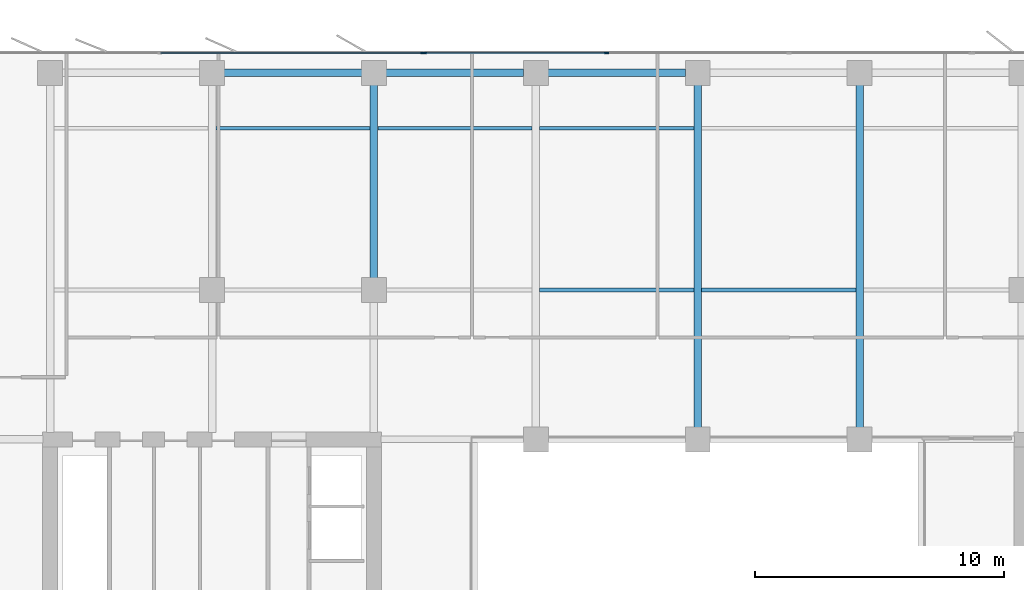
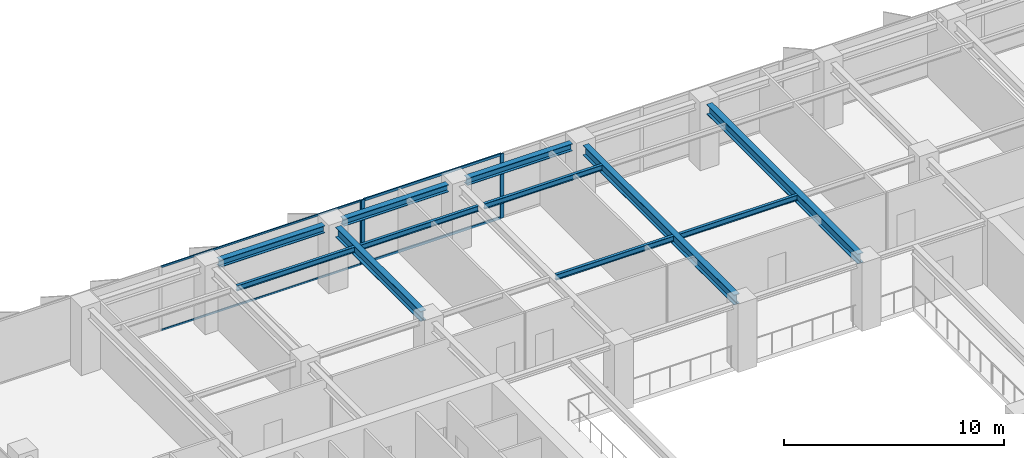
# One storey, part 9 of 22: 11 beams, 7 members, 2 elements without a shape of their own.
"""IFC4 building model written with IfcOpenShell, lengths in metres."""

from ifc_helpers import new_model, si_unit, direction, frame, origin, origin_2d, place, context, subcontext, project, spatial, rectangle, i_section, extrude, material, layer, layer_set, material_profile, profile_set, type_object, element, aggregate, save


model = new_model("IFC4")

# Units and contexts
model_context = context("Model", 3, precision=1e-05, world=origin(), true_north=direction((0.0, 1.0)))
body_context = subcontext(model_context, "Body", "Model", "MODEL_VIEW")
ifc_project = project(units=[si_unit("LENGTHUNIT", "METRE"), si_unit("AREAUNIT", "SQUARE_METRE"), si_unit("VOLUMEUNIT", "CUBIC_METRE"), si_unit("PLANEANGLEUNIT", "RADIAN"), si_unit("MASSUNIT", "GRAM", prefix="KILO")], contexts=[model_context])

# Site, building, storey
site_placement = place(None, origin())
site = spatial("IfcSite", under=ifc_project, at=site_placement, CompositionType="ELEMENT")
building_placement = place(site_placement, origin())
building = spatial("IfcBuilding", under=site, at=building_placement, Name="Putna Gate Headquarters", CompositionType="ELEMENT")
storey_placement = place(building_placement, frame((0.0, 0.0, 178.39990234375)))
storey = spatial("IfcBuildingStorey", under=building, at=storey_placement, Name="L44", CompositionType="ELEMENT", Elevation=178.39990234375)

# Beams
ifc_material_1 = material(Name="Steel S355J2", Category="steel")
ifc_material_profile_1 = material_profile(ifc_material_1, i_section(OverallWidth=0.300048828125, OverallDepth=0.550048828125, WebThickness=0.014892578125, FlangeThickness=0.029052734375, at=origin_2d()), Name="Steel S355J2")
ifc_profile_set_1 = profile_set([ifc_material_profile_1], Name="Steel S355J2")
beam_type_1 = type_object("IfcBeamType", Name="BM-GIRD-Z3-HEB550", PredefinedType="USERDEFINED", material=ifc_profile_set_1)
beam_placement = place(storey_placement, frame((26.0, 39.488037109375, 3.297119140625), z_axis=(0.0, 1.0, 0.0), x_axis=(-1.0, 0.0, 0.0)))
element("IfcBeam", 1, at=beam_placement, inside=storey, type_object=beam_type_1, Name="L44 North Primary Girder X26-2", ObjectType="GIRDER", PredefinedType="USERDEFINED", context=body_context, shape_type="SweptSolid", body=[
    extrude(i_section(OverallWidth=0.300048828125, OverallDepth=0.550048828125, WebThickness=0.014892578125, FlangeThickness=0.029052734375, at=origin_2d()), origin(), (0.0, 0.0, 1.0), 7.743896484375),
])
for number, where, z_axis, x_axis, name in (
    (2, (39.0, 33.488037109375, 3.297119140625), (0.0, 1.0, 0.0), (-1.0, 0.0, 0.0), "L44 North Primary Girder X39"),
    (3, (45.5, 33.488037109375, 3.297119140625), (0.0, 1.0, 0.0), (-1.0, 0.0, 0.0), "L44 North Primary Girder X45"),
):
    element("IfcBeam", number, at=place(storey_placement, frame(where, z_axis=z_axis, x_axis=x_axis)), inside=storey, type_object=beam_type_1, Name=name, ObjectType="GIRDER", PredefinedType="USERDEFINED", context=body_context, shape_type="SweptSolid", body=[
        extrude(i_section(OverallWidth=0.300048828125, OverallDepth=0.550048828125, WebThickness=0.014892578125, FlangeThickness=0.029052734375, at=origin_2d()), origin(), (0.0, 0.0, 1.0), 13.743896484375),
    ])
ifc_material_profile_2 = material_profile(ifc_material_1, i_section(OverallWidth=0.14990234375, OverallDepth=0.300048828125, WebThickness=0.007080078125, FlangeThickness=0.0107421875, at=origin_2d()), Name="Steel S355J2")
ifc_profile_set_2 = profile_set([ifc_material_profile_2], Name="Steel S355J2")
beam_type_2 = type_object("IfcBeamType", Name="BM-SEC-Z3-IPE300", PredefinedType="JOIST", material=ifc_profile_set_2)
for number, where, z_axis, x_axis, name in (
    (4, (19.654052734375, 45.5, 3.422119140625), (1.0, 0.0, 0.0), (0.0, 1.0, 0.0), "L44 North Secondary Beam 2"),
    (5, (26.154052734375, 45.5, 3.422119140625), (1.0, 0.0, 0.0), (0.0, 1.0, 0.0), "L44 North Secondary Beam 3"),
    (6, (32.654052734375, 39.0, 3.422119140625), (1.0, 0.0, 0.0), (0.0, 1.0, 0.0), "L44 North Secondary Beam 4"),
    (7, (32.654052734375, 45.5, 3.422119140625), (1.0, 0.0, 0.0), (0.0, 1.0, 0.0), "L44 North Secondary Beam 4"),
    (8, (39.154052734375, 39.0, 3.422119140625), (1.0, 0.0, 0.0), (0.0, 1.0, 0.0), "L44 North Secondary Beam 5"),
):
    element("IfcBeam", number, at=place(storey_placement, frame(where, z_axis=z_axis, x_axis=x_axis)), inside=storey, type_object=beam_type_2, Name=name, PredefinedType="JOIST", context=body_context, shape_type="SweptSolid", body=[
        extrude(i_section(OverallWidth=0.14990234375, OverallDepth=0.300048828125, WebThickness=0.007080078125, FlangeThickness=0.0107421875, at=origin_2d()), origin(), (0.0, 0.0, 1.0), 6.19189453125),
    ])
ifc_material_profile_3 = material_profile(ifc_material_1, i_section(OverallWidth=0.300048828125, OverallDepth=0.39990234375, WebThickness=0.013427734375, FlangeThickness=0.02392578125, at=origin_2d()), Name="Steel S355J2")
ifc_profile_set_3 = profile_set([ifc_material_profile_3], Name="Steel S355J2")
beam_type_3 = type_object("IfcBeamType", Name="BM-SPAN-Z3-HEB400", PredefinedType="SPANDREL", material=ifc_profile_set_3)
for number, where, z_axis, x_axis, name in (
    (9, (19.988037109375, 47.719970703125, 3.3720703125), (1.0, 0.0, 0.0), (0.0, 1.0, 0.0), "L44 N Perimeter Spandrel 2"),
    (10, (26.488037109375, 47.719970703125, 3.3720703125), (1.0, 0.0, 0.0), (0.0, 1.0, 0.0), "L44 N Perimeter Spandrel 3"),
    (11, (32.988037109375, 47.719970703125, 3.3720703125), (1.0, 0.0, 0.0), (0.0, 1.0, 0.0), "L44 N Perimeter Spandrel 4"),
):
    element("IfcBeam", number, at=place(storey_placement, frame(where, z_axis=z_axis, x_axis=x_axis)), inside=storey, type_object=beam_type_3, Name=name, PredefinedType="SPANDREL", context=body_context, shape_type="SweptSolid", body=[
        extrude(i_section(OverallWidth=0.300048828125, OverallDepth=0.39990234375, WebThickness=0.013427734375, FlangeThickness=0.02392578125, at=origin_2d()), origin(), (0.0, 0.0, 1.0), 5.52392578125),
    ])

# Curtain wall, member
ifc_material_2 = material(Name="Anodised bronze aluminium curtain wall", Category="aluminium")
ifc_layer_1 = layer(ifc_material_2, 0.159912109375)
ifc_layer_set_1 = layer_set([ifc_layer_1], Name="Anodised bronze aluminium curtain wall")
curtain_wall_type_1 = type_object("IfcCurtainWallType", Name="CW-SYS-Z3", PredefinedType="USERDEFINED", material=ifc_layer_set_1)
curtain_wall_1_placement = place(storey_placement, origin())
curtain_wall_1 = element("IfcCurtainWall", 12, at=curtain_wall_1_placement, inside=storey, type_object=curtain_wall_type_1, Name="L44 North West Curtain Wall", ObjectType="STICK CURTAIN WALL", PredefinedType="USERDEFINED")
ifc_material_3 = material(Name="Anodised bronze aluminium EN AW-6060", Category="aluminium")
ifc_material_profile_4 = material_profile(ifc_material_3, rectangle(XDim=0.06494140625, YDim=0.159912109375, at=origin_2d()), Name="Anodised bronze aluminium EN AW-6060")
ifc_profile_set_4 = profile_set([ifc_material_profile_4], Name="Anodised bronze aluminium EN AW-6060")
member_type_1 = type_object("IfcMemberType", Name="MULL-CWM-3", PredefinedType="MULLION", material=ifc_profile_set_4)
member_1_placement = place(storey_placement, frame((27.967529296875, 48.52001953125, 0.0), z_axis=(0.0, 0.0, 1.0), x_axis=(0.0, 1.0, 0.0)))
member_1 = element("IfcMember", 13, at=member_1_placement, type_object=member_type_1, Name="CWS-3 mullion 3", PredefinedType="MULLION", context=body_context, shape_type="SweptSolid", body=[
    extrude(rectangle(XDim=0.06494140625, YDim=0.159912109375, at=origin_2d()), origin(), (0.0, 0.0, 1.0), 3.572021484375),
])

# Curtain wall, members
ifc_layer_2 = layer(ifc_material_2, 0.179931640625)
ifc_layer_set_2 = layer_set([ifc_layer_2], Name="Anodised bronze aluminium curtain wall")
curtain_wall_type_2 = type_object("IfcCurtainWallType", Name="CW-SYS-ATR", PredefinedType="USERDEFINED", material=ifc_layer_set_2)
curtain_wall_2_placement = place(storey_placement, origin())
curtain_wall_2 = element("IfcCurtainWall", 14, at=curtain_wall_2_placement, inside=storey, type_object=curtain_wall_type_2, Name="L44 North Atrium Clear Glazing", ObjectType="ATRIUM GLAZING", PredefinedType="USERDEFINED")
ifc_material_profile_5 = material_profile(ifc_material_3, rectangle(XDim=0.070068359375, YDim=0.179931640625, at=origin_2d()), Name="Anodised bronze aluminium EN AW-6060")
ifc_profile_set_5 = profile_set([ifc_material_profile_5], Name="Anodised bronze aluminium EN AW-6060")
member_type_2 = type_object("IfcMemberType", Name="MULL-CWM-AT", PredefinedType="MULLION", material=ifc_profile_set_5)
member_2_placement = place(storey_placement, frame((28.034912109375, 48.52001953125, 0.0), z_axis=(0.0, 0.0, 1.0), x_axis=(0.0, 1.0, 0.0)))
member_2 = element("IfcMember", 15, at=member_2_placement, type_object=member_type_2, Name="CWS-AT mullion 1", PredefinedType="MULLION", context=body_context, shape_type="SweptSolid", body=[
    extrude(rectangle(XDim=0.070068359375, YDim=0.179931640625, at=origin_2d()), origin(), (0.0, 0.0, 1.0), 3.572021484375),
])
member_3_placement = place(storey_placement, frame((35.333251953125, 48.52001953125, 0.0), z_axis=(0.0, 0.0, 1.0), x_axis=(0.0, 1.0, 0.0)))
member_3 = element("IfcMember", 16, at=member_3_placement, type_object=member_type_2, Name="CWS-AT mullion 2", PredefinedType="MULLION", context=body_context, shape_type="SweptSolid", body=[
    extrude(rectangle(XDim=0.070068359375, YDim=0.179931640625, at=origin_2d()), origin(), (0.0, 0.0, 1.0), 3.572021484375),
])

# Member
ifc_material_profile_6 = material_profile(ifc_material_3, rectangle(XDim=0.06005859375, YDim=0.10009765625, at=origin_2d()), Name="Anodised bronze aluminium EN AW-6060")
ifc_profile_set_6 = profile_set([ifc_material_profile_6], Name="Anodised bronze aluminium EN AW-6060")
member_type_3 = type_object("IfcMemberType", Name="TRAN-CWT-3", PredefinedType="USERDEFINED", material=ifc_profile_set_6)
member_4_placement = place(storey_placement, frame((17.4326171875, 48.52001953125, 0.030029296875), z_axis=(1.0, 0.0, 0.0), x_axis=(0.0, 1.0, 0.0)))
member_4 = element("IfcMember", 17, at=member_4_placement, type_object=member_type_3, Name="CWS-3 transom 2.1", ObjectType="TRANSOM", PredefinedType="USERDEFINED", context=body_context, shape_type="SweptSolid", body=[
    extrude(rectangle(XDim=0.06005859375, YDim=0.10009765625, at=origin_2d()), origin(), (0.0, 0.0, 1.0), 10.50244140625),
])

member_5_placement = place(storey_placement, frame((17.4326171875, 48.52001953125, 3.5419921875), z_axis=(1.0, 0.0, 0.0), x_axis=(0.0, 1.0, 0.0)))
member_5 = element("IfcMember", 18, at=member_5_placement, type_object=member_type_3, Name="CWS-3 transom 2.2", ObjectType="TRANSOM", PredefinedType="USERDEFINED", context=body_context, shape_type="SweptSolid", body=[
    extrude(rectangle(XDim=0.06005859375, YDim=0.10009765625, at=origin_2d()), origin(), (0.0, 0.0, 1.0), 10.50244140625),
])

aggregate(curtain_wall_1, [member_1, member_4, member_5])

ifc_material_profile_7 = material_profile(ifc_material_3, rectangle(XDim=0.070068359375, YDim=0.139892578125, at=origin_2d()), Name="Anodised bronze aluminium EN AW-6060")
ifc_profile_set_7 = profile_set([ifc_material_profile_7], Name="Anodised bronze aluminium EN AW-6060")
member_type_4 = type_object("IfcMemberType", Name="TRAN-CWT-AT", PredefinedType="USERDEFINED", material=ifc_profile_set_7)
member_6_placement = place(storey_placement, frame((28.070068359375, 48.52001953125, 0.03515625), z_axis=(1.0, 0.0, 0.0), x_axis=(0.0, 1.0, 0.0)))
member_6 = element("IfcMember", 19, at=member_6_placement, type_object=member_type_4, Name="CWS-AT transom 1.1", ObjectType="TRANSOM", PredefinedType="USERDEFINED", context=body_context, shape_type="SweptSolid", body=[
    extrude(rectangle(XDim=0.070068359375, YDim=0.139892578125, at=origin_2d()), origin(), (0.0, 0.0, 1.0), 7.228271484375),
])

member_7_placement = place(storey_placement, frame((28.070068359375, 48.52001953125, 3.537109375), z_axis=(1.0, 0.0, 0.0), x_axis=(0.0, 1.0, 0.0)))
member_7 = element("IfcMember", 20, at=member_7_placement, type_object=member_type_4, Name="CWS-AT transom 1.2", ObjectType="TRANSOM", PredefinedType="USERDEFINED", context=body_context, shape_type="SweptSolid", body=[
    extrude(rectangle(XDim=0.070068359375, YDim=0.139892578125, at=origin_2d()), origin(), (0.0, 0.0, 1.0), 7.228271484375),
])

aggregate(curtain_wall_2, [member_2, member_3, member_6, member_7])

save(model, "model.ifc")
